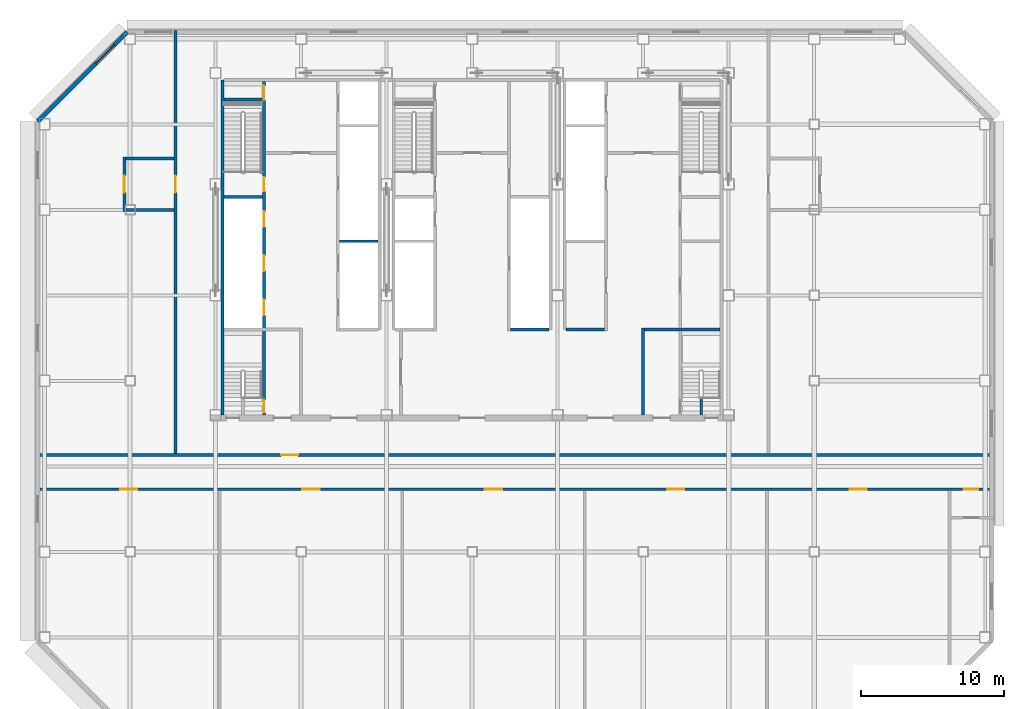
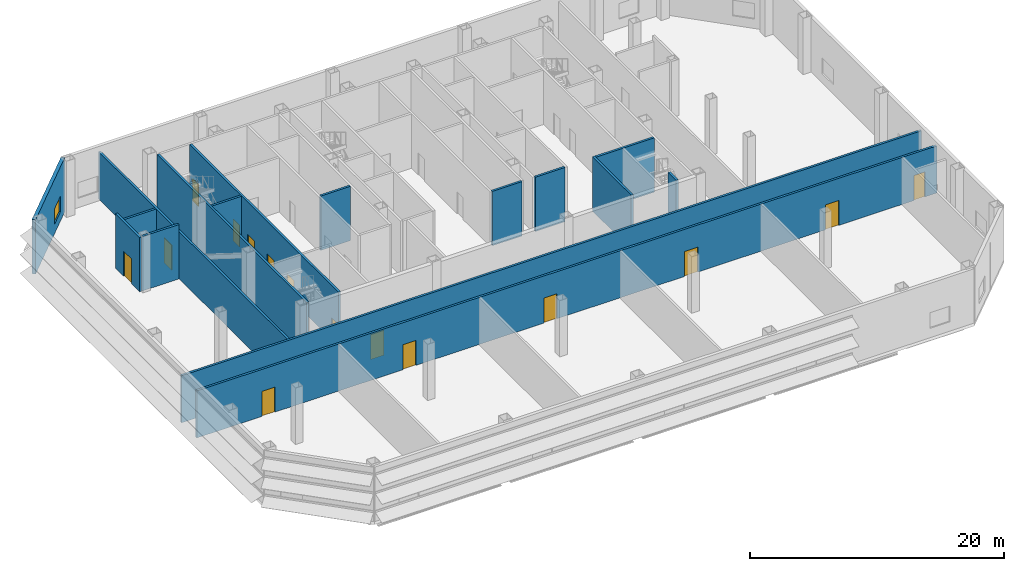
# One storey, part 4 of 10: 17 walls, 15 doors, 1 window, 16 openings.
"""IFC4 building model written with IfcOpenShell, lengths in metres."""

from ifc_helpers import new_model, si_unit, direction, frame, frame_2d, origin, place, context, subcontext, project, spatial, rectangle, extrude, material, layer, layer_set, type_object, element, fill, save


model = new_model("IFC4")

# Units and contexts
model_context = context("Model", 3, precision=1e-05, world=origin(), true_north=direction((0.0, 1.0)))
body_context = subcontext(model_context, "Body", "Model", "MODEL_VIEW")
ifc_project = project(units=[si_unit("LENGTHUNIT", "METRE"), si_unit("AREAUNIT", "SQUARE_METRE"), si_unit("VOLUMEUNIT", "CUBIC_METRE"), si_unit("PLANEANGLEUNIT", "RADIAN"), si_unit("MASSUNIT", "GRAM", prefix="KILO")], contexts=[model_context])

# Site, building, storey
site_placement = place(None, origin())
site = spatial("IfcSite", under=ifc_project, at=site_placement, CompositionType="ELEMENT")
building_placement = place(site_placement, origin())
building = spatial("IfcBuilding", under=site, at=building_placement, Name="Sorahane Residences", CompositionType="ELEMENT")
storey_placement = place(building_placement, frame((0.0, 0.0, 138.39990234375)))
storey = spatial("IfcBuildingStorey", under=building, at=storey_placement, Name="L31", CompositionType="ELEMENT", Elevation=138.39990234375)

# Wall
ifc_material_1 = material(Name="Concrete C30", Category="concrete")
ifc_layer_1 = layer(ifc_material_1, 0.199951171875)
ifc_layer_set_1 = layer_set([ifc_layer_1], Name="Core face wall 200 EI 180")
wall_type_1 = type_object("IfcWallType", Name="Core face wall 200 EI 180", PredefinedType="SOLIDWALL", material=ifc_layer_set_1)
wall_1_placement = place(storey_placement, frame((6.5, 21.60009765625, 0.0), z_axis=(0.0, 0.0, 1.0), x_axis=(0.0, 1.0, 0.0)))
element("IfcWall", 1, at=wall_1_placement, inside=storey, type_object=wall_type_1, Name="L31 core face wall", PredefinedType="SOLIDWALL", context=body_context, shape_type="SweptSolid", body=[
    extrude(rectangle(XDim=23.5, YDim=0.199951171875, at=frame_2d((11.75, 0.0))), origin(), (0.0, 0.0, 1.0), 5.22021484375),
])

# Wall, opening, door
ifc_material_2 = material(Name="Concrete blockwork C20 wall", Category="masonry")
ifc_layer_2 = layer(ifc_material_2, 0.199951171875)
ifc_layer_set_2 = layer_set([ifc_layer_2], Name="Corridor wall 200 EI 120")
wall_type_2 = type_object("IfcWallType", Name="Corridor wall 200 EI 120", PredefinedType="SOLIDWALL", material=ifc_layer_set_2)
wall_2_placement = place(storey_placement, frame((-6.60009765625, 18.800048828125, 0.0), z_axis=(0.0, 0.0, 1.0), x_axis=(1.0, 0.0, 0.0)))
wall_2 = element("IfcWall", 2, at=wall_2_placement, inside=storey, type_object=wall_type_2, Name="L31 corridor wall", PredefinedType="SOLIDWALL", context=body_context, shape_type="SweptSolid", body=[
    extrude(rectangle(XDim=67.2001953125, YDim=0.199951171875, at=frame_2d((33.60009765625, 0.0))), origin(), (0.0, 0.0, 1.0), 4.52001953125),
])
opening_1_placement = place(wall_2_placement, frame((17.199951171875, 0.0, 0.0)))
opening_1 = element("IfcOpeningElement", 3, at=opening_1_placement, cuts=wall_2, Name="Opening L31-08", PredefinedType="OPENING", context=body_context, shape_type="SweptSolid", body=[
    extrude(rectangle(XDim=1.199951171875, YDim=2.39990234375, at=frame_2d((0.60009765625, 1.199951171875))), frame((0.0, 0.10986328125, 0.0), z_axis=(0.0, -1.0, 0.0), x_axis=(1.0, 0.0, 0.0)), (0.0, 0.0, 1.0), 0.219970703125),
])
ifc_material_3 = material(Name="Steel", Category="steel")
door_type_1 = type_object("IfcDoorType", Name="Lobby door 1200x2400 FD60", OperationType="NOTDEFINED", PredefinedType="DOOR", material=ifc_material_3)
door_1_placement = place(opening_1_placement, frame((1.199951171875, 0.0, 0.0), z_axis=(0.0, 0.0, 1.0), x_axis=(-1.0, 0.0, 0.0)))
door_1 = element("IfcDoor", 4, at=door_1_placement, inside=storey, type_object=door_type_1, Name="Lobby door L31-08", OperationType="SINGLE_SWING_LEFT", OverallHeight=2.39990234375, OverallWidth=1.199951171875, PredefinedType="DOOR", context=body_context, shape_type="SweptSolid", body=[
    extrude(rectangle(XDim=1.199951171875, YDim=2.39990234375, at=frame_2d((0.60009765625, 1.199951171875))), frame((0.0, 0.02490234375, 0.0), z_axis=(0.0, -1.0, 0.0), x_axis=(1.0, 0.0, 0.0)), (0.0, 0.0, 1.0), 0.050048828125),
])
fill(opening_1, door_1)

# Wall, opening, window
ifc_material_4 = material(Name="Graphite insulated metal-clad wall")
ifc_layer_3 = layer(ifc_material_4, 0.300048828125)
ifc_layer_set_3 = layer_set([ifc_layer_3], Name="External wall insulated metal-clad 300")
wall_type_3 = type_object("IfcWallType", Name="External wall insulated metal-clad 300", PredefinedType="SOLIDWALL", material=ifc_layer_set_3)
wall_3_placement = place(storey_placement, frame((-0.194580078125, 48.469970703125, 0.0), z_axis=(0.0, 0.0, 1.0), x_axis=(-0.707106781187, -0.707106781187, 0.0)))
wall_3 = element("IfcWall", 5, at=wall_3_placement, inside=storey, type_object=wall_type_3, Name="External plant wall L31 NW1", PredefinedType="SOLIDWALL", context=body_context, shape_type="SweptSolid", body=[
    extrude(rectangle(XDim=8.874755859375, YDim=0.300048828125, at=frame_2d((4.4375, 0.0))), origin(), (0.0, 0.0, 1.0), 5.22021484375),
])
opening_2_placement = place(wall_3_placement, frame((1.291748046875, 0.0, 0.89990234375)))
opening_2 = element("IfcOpeningElement", 6, at=opening_2_placement, cuts=wall_3, Name="Opening W-R1", PredefinedType="OPENING", context=body_context, shape_type="SweptSolid", body=[
    extrude(rectangle(XDim=1.800048828125, YDim=1.5, at=frame_2d((0.89990234375, 0.75))), frame((0.0, 0.159912109375, 0.0), z_axis=(0.0, -1.0, 0.0), x_axis=(1.0, 0.0, 0.0)), (0.0, 0.0, 1.0), 0.320068359375),
])
ifc_material_5 = material(Name="Dark aluminium and glass", Category="aluminium")
window_type = type_object("IfcWindowType", Name="Openable Class B fire window dark aluminium 1800x1500", PartitioningType="SINGLE_PANEL", PredefinedType="WINDOW", material=ifc_material_5)
window_placement = place(opening_2_placement, origin())
window = element("IfcWindow", 7, at=window_placement, inside=storey, type_object=window_type, Name="Openable fire window L31 NW1.1", OverallHeight=1.5, OverallWidth=1.800048828125, PartitioningType="SINGLE_PANEL", PredefinedType="WINDOW", context=body_context, shape_type="SweptSolid", body=[
    extrude(rectangle(XDim=1.800048828125, YDim=1.5, at=frame_2d((0.89990234375, 0.75))), frame((0.0, 0.030029296875, 0.0), z_axis=(0.0, -1.0, 0.0), x_axis=(1.0, 0.0, 0.0)), (0.0, 0.0, 1.0), 0.06005859375),
])
fill(opening_2, window)

# Wall, opening, door
ifc_material_6 = material(Name="Concrete blockwork C20 wall", Category="masonry")
ifc_layer_4 = layer(ifc_material_6, 0.199951171875)
ifc_layer_set_4 = layer_set([ifc_layer_4], Name="Fire wall 200 EI 120")
wall_type_4 = type_object("IfcWallType", Name="Fire wall 200 EI 120", PredefinedType="SOLIDWALL", material=ifc_layer_set_4)
wall_4_placement = place(storey_placement, frame((-0.39990234375, 35.89990234375, 0.0), z_axis=(0.0, 0.0, 1.0), x_axis=(0.0, 1.0, 0.0)))
wall_4 = element("IfcWall", 8, at=wall_4_placement, inside=storey, type_object=wall_type_4, Name="L31 fire wall", PredefinedType="SOLIDWALL", context=body_context, shape_type="SweptSolid", body=[
    extrude(rectangle(XDim=3.800048828125, YDim=0.199951171875, at=frame_2d((1.89990234375, 0.0))), origin(), (0.0, 0.0, 1.0), 5.22021484375),
])
opening_3_placement = place(wall_4_placement, frame((1.300048828125, 0.0, 0.0)))
opening_3 = element("IfcOpeningElement", 9, at=opening_3_placement, cuts=wall_4, Name="Opening L31-11", PredefinedType="OPENING", context=body_context, shape_type="SweptSolid", body=[
    extrude(rectangle(XDim=1.199951171875, YDim=2.39990234375, at=frame_2d((0.60009765625, 1.199951171875))), frame((0.0, 0.10986328125, 0.0), z_axis=(0.0, -1.0, 0.0), x_axis=(1.0, 0.0, 0.0)), (0.0, 0.0, 1.0), 0.219970703125),
])
door_2_placement = place(opening_3_placement, frame((1.199951171875, 0.0, 0.0), z_axis=(0.0, 0.0, 1.0), x_axis=(-1.0, 0.0, 0.0)))
door_2 = element("IfcDoor", 10, at=door_2_placement, inside=storey, type_object=door_type_1, Name="Lobby door L31-11", OperationType="SINGLE_SWING_RIGHT", OverallHeight=2.39990234375, OverallWidth=1.199951171875, PredefinedType="DOOR", context=body_context, shape_type="SweptSolid", body=[
    extrude(rectangle(XDim=1.199951171875, YDim=2.39990234375, at=frame_2d((0.60009765625, 1.199951171875))), frame((0.0, 0.02490234375, 0.0), z_axis=(0.0, -1.0, 0.0), x_axis=(1.0, 0.0, 0.0)), (0.0, 0.0, 1.0), 0.050048828125),
])
fill(opening_3, door_2)

wall_5_placement = place(storey_placement, frame((3.199951171875, 18.89990234375, 0.0), z_axis=(0.0, 0.0, 1.0), x_axis=(0.0, 1.0, 0.0)))
wall_5 = element("IfcWall", 11, at=wall_5_placement, inside=storey, type_object=wall_type_4, Name="L31 fire wall", PredefinedType="SOLIDWALL", context=body_context, shape_type="SweptSolid", body=[
    extrude(rectangle(XDim=29.7001953125, YDim=0.199951171875, at=frame_2d((14.85009765625, 0.0))), origin(), (0.0, 0.0, 1.0), 4.52001953125),
])
opening_4_placement = place(wall_5_placement, frame((18.300048828125, 0.0, 0.0)))
opening_4 = element("IfcOpeningElement", 12, at=opening_4_placement, cuts=wall_5, Name="Opening L31-12", PredefinedType="OPENING", context=body_context, shape_type="SweptSolid", body=[
    extrude(rectangle(XDim=1.199951171875, YDim=2.39990234375, at=frame_2d((0.60009765625, 1.199951171875))), frame((0.0, 0.10986328125, 0.0), z_axis=(0.0, -1.0, 0.0), x_axis=(1.0, 0.0, 0.0)), (0.0, 0.0, 1.0), 0.219970703125),
])
door_3_placement = place(opening_4_placement, frame((1.199951171875, 0.0, 0.0), z_axis=(0.0, 0.0, 1.0), x_axis=(-1.0, 0.0, 0.0)))
door_3 = element("IfcDoor", 13, at=door_3_placement, inside=storey, type_object=door_type_1, Name="Lobby door L31-12", OperationType="SINGLE_SWING_LEFT", OverallHeight=2.39990234375, OverallWidth=1.199951171875, PredefinedType="DOOR", context=body_context, shape_type="SweptSolid", body=[
    extrude(rectangle(XDim=1.199951171875, YDim=2.39990234375, at=frame_2d((0.60009765625, 1.199951171875))), frame((0.0, 0.02490234375, 0.0), z_axis=(0.0, -1.0, 0.0), x_axis=(1.0, 0.0, 0.0)), (0.0, 0.0, 1.0), 0.050048828125),
])
fill(opening_4, door_3)

# Wall, openings, doors
wall_6_placement = place(storey_placement, frame((-6.60009765625, 16.39990234375, 0.0), z_axis=(0.0, 0.0, 1.0), x_axis=(1.0, 0.0, 0.0)))
wall_6 = element("IfcWall", 14, at=wall_6_placement, inside=storey, type_object=wall_type_4, Name="L31 fire wall", PredefinedType="SOLIDWALL", context=body_context, shape_type="SweptSolid", body=[
    extrude(rectangle(XDim=67.2001953125, YDim=0.199951171875, at=frame_2d((33.60009765625, 0.0))), origin(), (0.0, 0.0, 1.0), 4.52001953125),
])
opening_5_placement = place(wall_6_placement, frame((5.89990234375, 0.0, 0.0)))
opening_5 = element("IfcOpeningElement", 15, at=opening_5_placement, cuts=wall_6, Name="Opening L31-01", PredefinedType="OPENING", context=body_context, shape_type="SweptSolid", body=[
    extrude(rectangle(XDim=1.199951171875, YDim=2.39990234375, at=frame_2d((0.60009765625, 1.199951171875))), frame((0.0, 0.10986328125, 0.0), z_axis=(0.0, -1.0, 0.0), x_axis=(1.0, 0.0, 0.0)), (0.0, 0.0, 1.0), 0.219970703125),
])
opening_6_placement = place(wall_6_placement, frame((18.699951171875, 0.0, 0.0)))
opening_6 = element("IfcOpeningElement", 16, at=opening_6_placement, cuts=wall_6, Name="Opening L31-02", PredefinedType="OPENING", context=body_context, shape_type="SweptSolid", body=[
    extrude(rectangle(XDim=1.199951171875, YDim=2.39990234375, at=frame_2d((0.60009765625, 1.199951171875))), frame((0.0, 0.10986328125, 0.0), z_axis=(0.0, -1.0, 0.0), x_axis=(1.0, 0.0, 0.0)), (0.0, 0.0, 1.0), 0.219970703125),
])
opening_7_placement = place(wall_6_placement, frame((31.5, 0.0, 0.0)))
opening_7 = element("IfcOpeningElement", 17, at=opening_7_placement, cuts=wall_6, Name="Opening L31-03", PredefinedType="OPENING", context=body_context, shape_type="SweptSolid", body=[
    extrude(rectangle(XDim=1.199951171875, YDim=2.39990234375, at=frame_2d((0.60009765625, 1.199951171875))), frame((0.0, 0.10986328125, 0.0), z_axis=(0.0, -1.0, 0.0), x_axis=(1.0, 0.0, 0.0)), (0.0, 0.0, 1.0), 0.219970703125),
])
opening_8_placement = place(wall_6_placement, frame((44.300048828125, 0.0, 0.0)))
opening_8 = element("IfcOpeningElement", 18, at=opening_8_placement, cuts=wall_6, Name="Opening L31-04", PredefinedType="OPENING", context=body_context, shape_type="SweptSolid", body=[
    extrude(rectangle(XDim=1.199951171875, YDim=2.39990234375, at=frame_2d((0.60009765625, 1.199951171875))), frame((0.0, 0.10986328125, 0.0), z_axis=(0.0, -1.0, 0.0), x_axis=(1.0, 0.0, 0.0)), (0.0, 0.0, 1.0), 0.219970703125),
])
opening_9_placement = place(wall_6_placement, frame((57.10009765625, 0.0, 0.0)))
opening_9 = element("IfcOpeningElement", 19, at=opening_9_placement, cuts=wall_6, Name="Opening L31-05", PredefinedType="OPENING", context=body_context, shape_type="SweptSolid", body=[
    extrude(rectangle(XDim=1.199951171875, YDim=2.39990234375, at=frame_2d((0.60009765625, 1.199951171875))), frame((0.0, 0.10986328125, 0.0), z_axis=(0.0, -1.0, 0.0), x_axis=(1.0, 0.0, 0.0)), (0.0, 0.0, 1.0), 0.219970703125),
])
opening_10_placement = place(wall_6_placement, frame((65.10009765625, 0.0, 0.0)))
opening_10 = element("IfcOpeningElement", 20, at=opening_10_placement, cuts=wall_6, Name="Opening L31-06", PredefinedType="OPENING", context=body_context, shape_type="SweptSolid", body=[
    extrude(rectangle(XDim=1.0, YDim=2.39990234375, at=frame_2d((0.5, 1.199951171875))), frame((0.0, 0.10986328125, 0.0), z_axis=(0.0, -1.0, 0.0), x_axis=(1.0, 0.0, 0.0)), (0.0, 0.0, 1.0), 0.219970703125),
])
ifc_material_7 = material(Name="Steel", Category="steel")
door_type_2 = type_object("IfcDoorType", Name="Fire door 1000x2400 FD60", OperationType="NOTDEFINED", PredefinedType="DOOR", material=ifc_material_7)
door_4_placement = place(opening_10_placement, origin())
door_4 = element("IfcDoor", 21, at=door_4_placement, inside=storey, type_object=door_type_2, Name="Fire door L31-06", OperationType="SINGLE_SWING_RIGHT", OverallHeight=2.39990234375, OverallWidth=1.0, PredefinedType="DOOR", context=body_context, shape_type="SweptSolid", body=[
    extrude(rectangle(XDim=1.0, YDim=2.39990234375, at=frame_2d((0.5, 1.199951171875))), frame((0.0, 0.02490234375, 0.0), z_axis=(0.0, -1.0, 0.0), x_axis=(1.0, 0.0, 0.0)), (0.0, 0.0, 1.0), 0.050048828125),
])
fill(opening_10, door_4)
ifc_material_8 = material(Name="Steel", Category="steel")
door_type_3 = type_object("IfcDoorType", Name="Plant door 1200x2400 FD60", OperationType="NOTDEFINED", PredefinedType="DOOR", material=ifc_material_8)
door_5_placement = place(opening_5_placement, origin())
door_5 = element("IfcDoor", 22, at=door_5_placement, inside=storey, type_object=door_type_3, Name="Plant door L31-01", OperationType="SINGLE_SWING_LEFT", OverallHeight=2.39990234375, OverallWidth=1.199951171875, PredefinedType="DOOR", context=body_context, shape_type="SweptSolid", body=[
    extrude(rectangle(XDim=1.199951171875, YDim=2.39990234375, at=frame_2d((0.60009765625, 1.199951171875))), frame((0.0, 0.02490234375, 0.0), z_axis=(0.0, -1.0, 0.0), x_axis=(1.0, 0.0, 0.0)), (0.0, 0.0, 1.0), 0.050048828125),
])
fill(opening_5, door_5)
door_6_placement = place(opening_6_placement, origin())
door_6 = element("IfcDoor", 23, at=door_6_placement, inside=storey, type_object=door_type_3, Name="Plant door L31-02", OperationType="SINGLE_SWING_RIGHT", OverallHeight=2.39990234375, OverallWidth=1.199951171875, PredefinedType="DOOR", context=body_context, shape_type="SweptSolid", body=[
    extrude(rectangle(XDim=1.199951171875, YDim=2.39990234375, at=frame_2d((0.60009765625, 1.199951171875))), frame((0.0, 0.02490234375, 0.0), z_axis=(0.0, -1.0, 0.0), x_axis=(1.0, 0.0, 0.0)), (0.0, 0.0, 1.0), 0.050048828125),
])
fill(opening_6, door_6)
door_7_placement = place(opening_7_placement, frame((1.199951171875, 0.0, 0.0), z_axis=(0.0, 0.0, 1.0), x_axis=(-1.0, 0.0, 0.0)))
door_7 = element("IfcDoor", 24, at=door_7_placement, inside=storey, type_object=door_type_3, Name="Plant door L31-03", OperationType="SINGLE_SWING_RIGHT", OverallHeight=2.39990234375, OverallWidth=1.199951171875, PredefinedType="DOOR", context=body_context, shape_type="SweptSolid", body=[
    extrude(rectangle(XDim=1.199951171875, YDim=2.39990234375, at=frame_2d((0.60009765625, 1.199951171875))), frame((0.0, 0.02490234375, 0.0), z_axis=(0.0, -1.0, 0.0), x_axis=(1.0, 0.0, 0.0)), (0.0, 0.0, 1.0), 0.050048828125),
])
fill(opening_7, door_7)
door_8_placement = place(opening_8_placement, frame((1.199951171875, 0.0, 0.0), z_axis=(0.0, 0.0, 1.0), x_axis=(-1.0, 0.0, 0.0)))
door_8 = element("IfcDoor", 25, at=door_8_placement, inside=storey, type_object=door_type_3, Name="Plant door L31-04", OperationType="SINGLE_SWING_LEFT", OverallHeight=2.39990234375, OverallWidth=1.199951171875, PredefinedType="DOOR", context=body_context, shape_type="SweptSolid", body=[
    extrude(rectangle(XDim=1.199951171875, YDim=2.39990234375, at=frame_2d((0.60009765625, 1.199951171875))), frame((0.0, 0.02490234375, 0.0), z_axis=(0.0, -1.0, 0.0), x_axis=(1.0, 0.0, 0.0)), (0.0, 0.0, 1.0), 0.050048828125),
])
fill(opening_8, door_8)
door_9_placement = place(opening_9_placement, origin())
door_9 = element("IfcDoor", 26, at=door_9_placement, inside=storey, type_object=door_type_3, Name="Plant door L31-05", OperationType="SINGLE_SWING_LEFT", OverallHeight=2.39990234375, OverallWidth=1.199951171875, PredefinedType="DOOR", context=body_context, shape_type="SweptSolid", body=[
    extrude(rectangle(XDim=1.199951171875, YDim=2.39990234375, at=frame_2d((0.60009765625, 1.199951171875))), frame((0.0, 0.02490234375, 0.0), z_axis=(0.0, -1.0, 0.0), x_axis=(1.0, 0.0, 0.0)), (0.0, 0.0, 1.0), 0.050048828125),
])
fill(opening_9, door_9)

# Walls
wall_7_placement = place(storey_placement, frame((-0.300048828125, 36.0, 0.0), z_axis=(0.0, 0.0, 1.0), x_axis=(1.0, 0.0, 0.0)))
element("IfcWall", 27, at=wall_7_placement, inside=storey, type_object=wall_type_4, Name="L31 fire wall", PredefinedType="SOLIDWALL", context=body_context, shape_type="SweptSolid", body=[
    extrude(rectangle(XDim=3.400146484375, YDim=0.199951171875, at=frame_2d((1.7001953125, 0.0))), origin(), (0.0, 0.0, 1.0), 5.22021484375),
])
wall_8_placement = place(storey_placement, frame((-0.300048828125, 39.60009765625, 0.0), z_axis=(0.0, 0.0, 1.0), x_axis=(1.0, 0.0, 0.0)))
element("IfcWall", 28, at=wall_8_placement, inside=storey, type_object=wall_type_4, Name="L31 fire wall", PredefinedType="SOLIDWALL", context=body_context, shape_type="SweptSolid", body=[
    extrude(rectangle(XDim=3.400146484375, YDim=0.199951171875, at=frame_2d((1.7001953125, 0.0))), origin(), (0.0, 0.0, 1.0), 4.52001953125),
])
ifc_material_9 = material(Name="Concrete C30", Category="concrete")
ifc_layer_5 = layer(ifc_material_9, 0.199951171875)
ifc_layer_set_5 = layer_set([ifc_layer_5], Name="Front room wall 200 EI 120")
wall_type_5 = type_object("IfcWallType", Name="Front room wall 200 EI 120", PredefinedType="PARTITIONING", material=ifc_layer_set_5)
wall_9_placement = place(storey_placement, frame((36.0, 21.60009765625, 0.0), z_axis=(0.0, 0.0, 1.0), x_axis=(0.0, 1.0, 0.0)))
element("IfcWall", 29, at=wall_9_placement, inside=storey, type_object=wall_type_5, Name="L31 front room wall", PredefinedType="PARTITIONING", context=body_context, shape_type="SweptSolid", body=[
    extrude(rectangle(XDim=6.099853515625, YDim=0.199951171875, at=frame_2d((3.0498046875, 0.0))), origin(), (0.0, 0.0, 1.0), 5.22021484375),
])
ifc_material_10 = material(Name="Concrete C30", Category="concrete")
ifc_layer_6 = layer(ifc_material_10, 0.199951171875)
ifc_layer_set_6 = layer_set([ifc_layer_6], Name="Lift shaft wall 200 EI 120")
wall_type_6 = type_object("IfcWallType", Name="Lift shaft wall 200 EI 120", PredefinedType="SOLIDWALL", material=ifc_layer_set_6)
wall_10_placement = place(storey_placement, frame((14.699951171875, 33.800048828125, 0.0), z_axis=(0.0, 0.0, 1.0), x_axis=(1.0, 0.0, 0.0)))
element("IfcWall", 30, at=wall_10_placement, inside=storey, type_object=wall_type_6, Name="L31 lift shaft wall", PredefinedType="SOLIDWALL", context=body_context, shape_type="SweptSolid", body=[
    extrude(rectangle(XDim=2.699951171875, YDim=0.199951171875, at=frame_2d((1.35009765625, 0.0))), origin(), (0.0, 0.0, 1.0), 5.22021484375),
])
ifc_material_11 = material(Name="Concrete C30", Category="concrete")
ifc_layer_7 = layer(ifc_material_11, 0.199951171875)
ifc_layer_set_7 = layer_set([ifc_layer_7], Name="Riser shaft wall 200 EI 120")
wall_type_7 = type_object("IfcWallType", Name="Riser shaft wall 200 EI 120", PredefinedType="SOLIDWALL", material=ifc_layer_set_7)
wall_11_placement = place(storey_placement, frame((26.699951171875, 27.60009765625, 0.0), z_axis=(0.0, 0.0, 1.0), x_axis=(1.0, 0.0, 0.0)))
element("IfcWall", 31, at=wall_11_placement, inside=storey, type_object=wall_type_7, Name="L31 riser wall", PredefinedType="SOLIDWALL", context=body_context, shape_type="SweptSolid", body=[
    extrude(rectangle(XDim=2.699951171875, YDim=0.199951171875, at=frame_2d((1.35009765625, 0.0))), origin(), (0.0, 0.0, 1.0), 5.22021484375),
])
ifc_material_12 = material(Name="Concrete C30", Category="concrete")
ifc_layer_8 = layer(ifc_material_12, 0.199951171875)
ifc_layer_set_8 = layer_set([ifc_layer_8], Name="Service room partition 200 EI 60")
wall_type_8 = type_object("IfcWallType", Name="Service room partition 200 EI 60", PredefinedType="PARTITIONING", material=ifc_layer_set_8)
wall_12_placement = place(storey_placement, frame((30.60009765625, 27.60009765625, 0.0), z_axis=(0.0, 0.0, 1.0), x_axis=(1.0, 0.0, 0.0)))
element("IfcWall", 32, at=wall_12_placement, inside=storey, type_object=wall_type_8, Name="L31 service room wall", PredefinedType="PARTITIONING", context=body_context, shape_type="SweptSolid", body=[
    extrude(rectangle(XDim=2.699951171875, YDim=0.199951171875, at=frame_2d((1.35009765625, 0.0))), origin(), (0.0, 0.0, 1.0), 5.22021484375),
])
ifc_material_13 = material(Name="Concrete C30", Category="concrete")
ifc_layer_9 = layer(ifc_material_13, 0.199951171875)
ifc_layer_set_9 = layer_set([ifc_layer_9], Name="Stair enclosure wall 200 EI 120")
wall_type_9 = type_object("IfcWallType", Name="Stair enclosure wall 200 EI 120", PredefinedType="SOLIDWALL", material=ifc_layer_set_9)
wall_13_placement = place(storey_placement, frame((40.074951171875, 21.60009765625, 0.0), z_axis=(0.0, 0.0, 1.0), x_axis=(0.0, 1.0, 0.0)))
element("IfcWall", 33, at=wall_13_placement, inside=storey, type_object=wall_type_9, Name="L31 stair enclosure wall", PredefinedType="SOLIDWALL", context=body_context, shape_type="SweptSolid", body=[
    extrude(rectangle(XDim=1.25, YDim=0.199951171875, at=frame_2d((0.625, 0.0))), origin(), (0.0, 0.0, 1.0), 5.22021484375),
])

# Wall, openings, doors
wall_14_placement = place(storey_placement, frame((9.39990234375, 21.60009765625, 0.0), z_axis=(0.0, 0.0, 1.0), x_axis=(0.0, 1.0, 0.0)))
wall_14 = element("IfcWall", 34, at=wall_14_placement, inside=storey, type_object=wall_type_9, Name="L31 stair enclosure wall", PredefinedType="SOLIDWALL", context=body_context, shape_type="SweptSolid", body=[
    extrude(rectangle(XDim=23.39990234375, YDim=0.199951171875, at=frame_2d((11.699951171875, 0.0))), origin(), (0.0, 0.0, 1.0), 5.22021484375),
])
opening_11_placement = place(wall_14_placement, frame((7.0, 0.0, 0.0)))
opening_11 = element("IfcOpeningElement", 35, at=opening_11_placement, cuts=wall_14, Name="Opening L31-C14", PredefinedType="OPENING", context=body_context, shape_type="SweptSolid", body=[
    extrude(rectangle(XDim=1.10009765625, YDim=2.10009765625, at=frame_2d((0.550048828125, 1.050048828125))), frame((0.0, 0.10986328125, 0.0), z_axis=(0.0, -1.0, 0.0), x_axis=(1.0, 0.0, 0.0)), (0.0, 0.0, 1.0), 0.219970703125),
])
opening_12_placement = place(wall_14_placement, frame((10.10009765625, 0.0, 0.0)))
opening_12 = element("IfcOpeningElement", 36, at=opening_12_placement, cuts=wall_14, Name="Opening L31-C15", PredefinedType="OPENING", context=body_context, shape_type="SweptSolid", body=[
    extrude(rectangle(XDim=1.10009765625, YDim=2.10009765625, at=frame_2d((0.550048828125, 1.050048828125))), frame((0.0, 0.10986328125, 0.0), z_axis=(0.0, -1.0, 0.0), x_axis=(1.0, 0.0, 0.0)), (0.0, 0.0, 1.0), 0.219970703125),
])
opening_13_placement = place(wall_14_placement, frame((13.199951171875, 0.0, 0.0)))
opening_13 = element("IfcOpeningElement", 37, at=opening_13_placement, cuts=wall_14, Name="Opening L31-C16", PredefinedType="OPENING", context=body_context, shape_type="SweptSolid", body=[
    extrude(rectangle(XDim=1.10009765625, YDim=2.10009765625, at=frame_2d((0.550048828125, 1.050048828125))), frame((0.0, 0.10986328125, 0.0), z_axis=(0.0, -1.0, 0.0), x_axis=(1.0, 0.0, 0.0)), (0.0, 0.0, 1.0), 0.219970703125),
])
opening_14_placement = place(wall_14_placement, frame((22.10009765625, 0.0, 0.0)))
opening_14 = element("IfcOpeningElement", 38, at=opening_14_placement, cuts=wall_14, Name="Opening L31-C20", PredefinedType="OPENING", context=body_context, shape_type="SweptSolid", body=[
    extrude(rectangle(XDim=1.0, YDim=2.10009765625, at=frame_2d((0.5, 1.050048828125))), frame((0.0, 0.10986328125, 0.0), z_axis=(0.0, -1.0, 0.0), x_axis=(1.0, 0.0, 0.0)), (0.0, 0.0, 1.0), 0.219970703125),
])
opening_15_placement = place(wall_14_placement, frame((15.699951171875, 0.0, 0.0)))
opening_15 = element("IfcOpeningElement", 39, at=opening_15_placement, cuts=wall_14, Name="Opening L31-C21", PredefinedType="OPENING", context=body_context, shape_type="SweptSolid", body=[
    extrude(rectangle(XDim=1.0, YDim=2.10009765625, at=frame_2d((0.5, 1.050048828125))), frame((0.0, 0.10986328125, 0.0), z_axis=(0.0, -1.0, 0.0), x_axis=(1.0, 0.0, 0.0)), (0.0, 0.0, 1.0), 0.219970703125),
])
opening_16_placement = place(wall_14_placement, frame((0.175048828125, 0.0, 0.0)))
opening_16 = element("IfcOpeningElement", 40, at=opening_16_placement, cuts=wall_14, Name="Opening L31-C27", PredefinedType="OPENING", context=body_context, shape_type="SweptSolid", body=[
    extrude(rectangle(XDim=0.89990234375, YDim=2.10009765625, at=frame_2d((0.449951171875, 1.050048828125))), frame((0.0, 0.10986328125, 0.0), z_axis=(0.0, -1.0, 0.0), x_axis=(1.0, 0.0, 0.0)), (0.0, 0.0, 1.0), 0.219970703125),
])
ifc_material_14 = material(Name="Aluminium and stainless steel", Category="steel")
door_type_4 = type_object("IfcDoorType", Name="Lift landing door 1100x2100 E 60", OperationType="NOTDEFINED", PredefinedType="DOOR", material=ifc_material_14)
door_10_placement = place(opening_11_placement, origin())
door_10 = element("IfcDoor", 41, at=door_10_placement, inside=storey, type_object=door_type_4, Name="Lift landing door LR1 L31", OperationType="DOUBLE_DOOR_SLIDING", OverallHeight=2.10009765625, OverallWidth=1.10009765625, PredefinedType="DOOR", context=body_context, shape_type="SweptSolid", body=[
    extrude(rectangle(XDim=1.10009765625, YDim=2.10009765625, at=frame_2d((0.550048828125, 1.050048828125))), frame((0.0, 0.02490234375, 0.0), z_axis=(0.0, -1.0, 0.0), x_axis=(1.0, 0.0, 0.0)), (0.0, 0.0, 1.0), 0.050048828125),
])
fill(opening_11, door_10)
door_11_placement = place(opening_12_placement, origin())
door_11 = element("IfcDoor", 42, at=door_11_placement, inside=storey, type_object=door_type_4, Name="Lift landing door LR2 L31", OperationType="DOUBLE_DOOR_SLIDING", OverallHeight=2.10009765625, OverallWidth=1.10009765625, PredefinedType="DOOR", context=body_context, shape_type="SweptSolid", body=[
    extrude(rectangle(XDim=1.10009765625, YDim=2.10009765625, at=frame_2d((0.550048828125, 1.050048828125))), frame((0.0, 0.02490234375, 0.0), z_axis=(0.0, -1.0, 0.0), x_axis=(1.0, 0.0, 0.0)), (0.0, 0.0, 1.0), 0.050048828125),
])
fill(opening_12, door_11)
door_12_placement = place(opening_13_placement, origin())
door_12 = element("IfcDoor", 43, at=door_12_placement, inside=storey, type_object=door_type_4, Name="Lift landing door LR3 L31", OperationType="DOUBLE_DOOR_SLIDING", OverallHeight=2.10009765625, OverallWidth=1.10009765625, PredefinedType="DOOR", context=body_context, shape_type="SweptSolid", body=[
    extrude(rectangle(XDim=1.10009765625, YDim=2.10009765625, at=frame_2d((0.550048828125, 1.050048828125))), frame((0.0, 0.02490234375, 0.0), z_axis=(0.0, -1.0, 0.0), x_axis=(1.0, 0.0, 0.0)), (0.0, 0.0, 1.0), 0.050048828125),
])
fill(opening_13, door_12)
ifc_material_15 = material(Name="Steel", Category="steel")
door_type_5 = type_object("IfcDoorType", Name="Refuge stair door 1000x2100 FD120", OperationType="NOTDEFINED", PredefinedType="DOOR", material=ifc_material_15)
door_13_placement = place(opening_14_placement, origin())
door_13 = element("IfcDoor", 44, at=door_13_placement, inside=storey, type_object=door_type_5, Name="Refuge stair door S1 L31", OperationType="SINGLE_SWING_LEFT", OverallHeight=2.10009765625, OverallWidth=1.0, PredefinedType="DOOR", context=body_context, shape_type="SweptSolid", body=[
    extrude(rectangle(XDim=1.0, YDim=2.10009765625, at=frame_2d((0.5, 1.050048828125))), frame((0.0, 0.02490234375, 0.0), z_axis=(0.0, -1.0, 0.0), x_axis=(1.0, 0.0, 0.0)), (0.0, 0.0, 1.0), 0.050048828125),
])
fill(opening_14, door_13)
door_14_placement = place(opening_15_placement, origin())
door_14 = element("IfcDoor", 45, at=door_14_placement, inside=storey, type_object=door_type_5, Name="Refuge stair door S1 L31", OperationType="SINGLE_SWING_LEFT", OverallHeight=2.10009765625, OverallWidth=1.0, PredefinedType="DOOR", context=body_context, shape_type="SweptSolid", body=[
    extrude(rectangle(XDim=1.0, YDim=2.10009765625, at=frame_2d((0.5, 1.050048828125))), frame((0.0, 0.02490234375, 0.0), z_axis=(0.0, -1.0, 0.0), x_axis=(1.0, 0.0, 0.0)), (0.0, 0.0, 1.0), 0.050048828125),
])
fill(opening_15, door_14)
ifc_material_16 = material(Name="Steel", Category="steel")
door_type_6 = type_object("IfcDoorType", Name="Refuge stair door 900x2100 FD120", OperationType="NOTDEFINED", PredefinedType="DOOR", material=ifc_material_16)
door_15_placement = place(opening_16_placement, origin())
door_15 = element("IfcDoor", 46, at=door_15_placement, inside=storey, type_object=door_type_6, Name="Refuge stair door S4 L31", OperationType="SINGLE_SWING_LEFT", OverallHeight=2.10009765625, OverallWidth=0.89990234375, PredefinedType="DOOR", context=body_context, shape_type="SweptSolid", body=[
    extrude(rectangle(XDim=0.89990234375, YDim=2.10009765625, at=frame_2d((0.449951171875, 1.050048828125))), frame((0.0, 0.02490234375, 0.0), z_axis=(0.0, -1.0, 0.0), x_axis=(1.0, 0.0, 0.0)), (0.0, 0.0, 1.0), 0.050048828125),
])
fill(opening_16, door_15)

# Walls
wall_15_placement = place(storey_placement, frame((36.10009765625, 27.60009765625, 0.0), z_axis=(0.0, 0.0, 1.0), x_axis=(1.0, 0.0, 0.0)))
element("IfcWall", 47, at=wall_15_placement, inside=storey, type_object=wall_type_9, Name="L31 stair enclosure wall", PredefinedType="SOLIDWALL", context=body_context, shape_type="SweptSolid", body=[
    extrude(rectangle(XDim=5.2998046875, YDim=0.199951171875, at=frame_2d((2.64990234375, 0.0))), origin(), (0.0, 0.0, 1.0), 5.22021484375),
])
wall_16_placement = place(storey_placement, frame((6.60009765625, 36.89990234375, 0.0), z_axis=(0.0, 0.0, 1.0), x_axis=(1.0, 0.0, 0.0)))
element("IfcWall", 48, at=wall_16_placement, inside=storey, type_object=wall_type_9, Name="L31 stair enclosure wall", PredefinedType="SOLIDWALL", context=body_context, shape_type="SweptSolid", body=[
    extrude(rectangle(XDim=2.699951171875, YDim=0.199951171875, at=frame_2d((1.35009765625, 0.0))), origin(), (0.0, 0.0, 1.0), 5.22021484375),
])
wall_17_placement = place(storey_placement, frame((6.60009765625, 43.75, 0.0), z_axis=(0.0, 0.0, 1.0), x_axis=(1.0, 0.0, 0.0)))
element("IfcWall", 49, at=wall_17_placement, inside=storey, type_object=wall_type_9, Name="L31 stair enclosure wall", PredefinedType="SOLIDWALL", context=body_context, shape_type="SweptSolid", body=[
    extrude(rectangle(XDim=2.699951171875, YDim=0.199951171875, at=frame_2d((1.35009765625, 0.0))), origin(), (0.0, 0.0, 1.0), 2.5),
])

save(model, "model.ifc")
